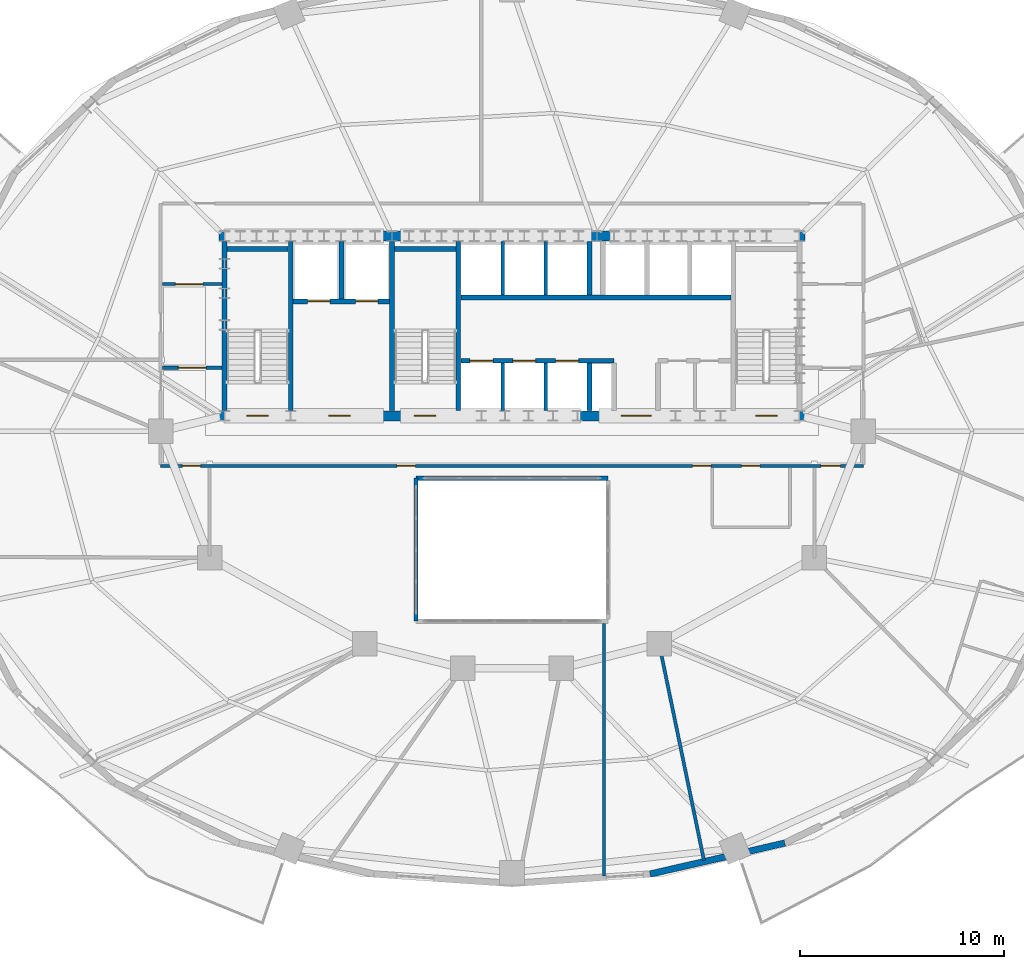
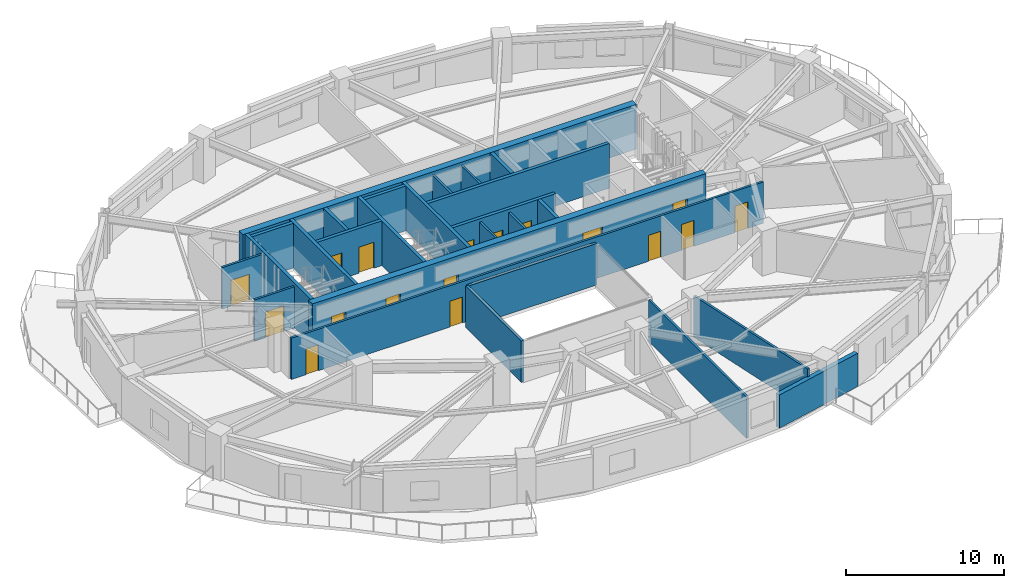
# One storey, part 7 of 12: 26 walls, 17 doors, 17 openings.
"""IFC4 building model written with IfcOpenShell, lengths in metres."""

import ifcopenshell
import ifcopenshell.guid

model = None  # the IFC model being written
_history = None  # IfcOwnerHistory: only IFC2X3 demands one
_inside = {}  # id of a spatial element -> (the spatial element, [elements in it])
_under = {}  # id of a project, library or spatial element -> (it, [spatial elements below it])
_declared = {}  # id of a project -> (the project, [libraries it declares])
_typed = {}  # id of a type object -> (the type object, [elements of that type])
_made_of = {}  # id of a material, layer set ... -> (it, [elements and type objects made of it])


def new_model(schema):
    """Start an empty IFC model of exactly this schema.

    Asked for "IFC4X3", IfcOpenShell would pick the latest addendum, in which some entities
    have other attributes; the version numbers below select the first issue.
    IFC2X3 requires an IfcOwnerHistory on every rooted entity: one is made here for all.
    """
    global model, _history
    if schema == "IFC4X3":
        model = ifcopenshell.file(schema_version=(4, 3, 0, 0))
    else:
        model = ifcopenshell.file(schema=schema)
    _inside.clear()
    _under.clear()
    _declared.clear()
    _typed.clear()
    _made_of.clear()
    _history = None
    if model.schema == "IFC2X3":
        org = make("IfcOrganization", Name="unknown")
        user = make(
            "IfcPersonAndOrganization",
            ThePerson=make("IfcPerson", FamilyName="unknown"),
            TheOrganization=org,
        )
        app = make(
            "IfcApplication",
            ApplicationDeveloper=org,
            Version="unknown",
            ApplicationFullName="unknown",
            ApplicationIdentifier="unknown",
        )
        _history = make(
            "IfcOwnerHistory",
            OwningUser=user,
            OwningApplication=app,
            ChangeAction="ADDED",
            CreationDate=0,
        )
    return model


def make(cls, **values):
    """One entity of the class cls with the attributes given. An attribute that is None is left unset."""
    return model.create_entity(
        cls, **{name: value for name, value in values.items() if value is not None}
    )


def rooted(cls, **values):
    """An entity with a GlobalId (a new one), such as an element, a storey or a relation."""
    return make(cls, GlobalId=ifcopenshell.guid.new(), OwnerHistory=_history, **values)


def si_unit(unit_type, name, prefix=None):
    """IfcSIUnit, for example si_unit("LENGTHUNIT", "METRE", prefix="MILLI")."""
    return make("IfcSIUnit", UnitType=unit_type, Prefix=prefix, Name=name)


def assignment(units):
    """IfcUnitAssignment: the units of a project."""
    return None if units is None else make("IfcUnitAssignment", Units=units)


def point(xyz):
    """IfcCartesianPoint."""
    return None if xyz is None else make("IfcCartesianPoint", Coordinates=xyz)


def direction(xyz):
    """IfcDirection."""
    return None if xyz is None else make("IfcDirection", DirectionRatios=xyz)


def frame(location, z_axis=None, x_axis=None):
    """IfcAxis2Placement3D, a coordinate frame: its origin and axes. An axis left out is left unset."""
    return make(
        "IfcAxis2Placement3D",
        Location=point(location),
        Axis=direction(z_axis),
        RefDirection=direction(x_axis),
    )


def frame_2d(location, x_axis=None):
    """IfcAxis2Placement2D, a coordinate frame in the plane: its origin and x axis."""
    return make(
        "IfcAxis2Placement2D", Location=point(location), RefDirection=direction(x_axis)
    )


def origin():
    """The frame at (0, 0, 0) with its axes left unset."""
    return frame((0.0, 0.0, 0.0))


def place(relative_to, where):
    """IfcLocalPlacement: puts the frame where relative to a parent placement (None: the world)."""
    return make(
        "IfcLocalPlacement", PlacementRelTo=relative_to, RelativePlacement=where
    )


def context(
    kind, dimensions, precision=None, world=None, true_north=None, identifier=None
):
    """IfcGeometricRepresentationContext, for example the 3D "Model" context."""
    return make(
        "IfcGeometricRepresentationContext",
        ContextIdentifier=identifier,
        ContextType=kind,
        CoordinateSpaceDimension=dimensions,
        Precision=precision,
        WorldCoordinateSystem=world,
        TrueNorth=true_north,
    )


def subcontext(parent, identifier, kind, view, scale=None):
    """IfcGeometricRepresentationSubContext, for example "Body" below "Model"."""
    return make(
        "IfcGeometricRepresentationSubContext",
        ContextIdentifier=identifier,
        ContextType=kind,
        ParentContext=parent,
        TargetScale=scale,
        TargetView=view,
    )


def project(units=None, contexts=None):
    """IfcProject with its units and contexts."""
    return rooted(
        "IfcProject",
        Name="project",
        RepresentationContexts=contexts,
        UnitsInContext=assignment(units),
    )


def spatial(cls, under=None, at=None, **own):
    """A site, building, storey or space (cls), placed at a placement, below another one or the project."""
    s = rooted(cls, ObjectPlacement=at, **own)
    if under is not None:
        _under.setdefault(under.id(), (under, []))[1].append(s)
    return s


def profile(cls, at=None, kind="AREA", **sizes):
    """A parametric profile (cls). Its sizes go by their IFC names, for example OverallWidth=200.0."""
    return make(cls, ProfileType=kind, Position=at, **sizes)


def rectangle(**sizes):
    """IfcRectangleProfileDef."""
    return profile("IfcRectangleProfileDef", **sizes)


def extrude(swept, where, along, depth):
    """IfcExtrudedAreaSolid: the profile swept, set in the frame where, extruded along a direction by depth."""
    return make(
        "IfcExtrudedAreaSolid",
        SweptArea=swept,
        Position=where,
        ExtrudedDirection=direction(along),
        Depth=depth,
    )


def shape(context_of_items, identifier, shape_type, items):
    """IfcShapeRepresentation: the items that make up one representation, for example the "Body"."""
    return make(
        "IfcShapeRepresentation",
        ContextOfItems=context_of_items,
        RepresentationIdentifier=identifier,
        RepresentationType=shape_type,
        Items=items,
    )


def material(Name=None, Category=None):
    """IfcMaterial."""
    return make("IfcMaterial", Name=Name, Category=Category)


def layer(
    of_material, thickness, ventilated=None, Name=None, Category=None, Priority=None
):
    """IfcMaterialLayer: one layer of a wall or slab, of a material (None: an air gap)."""
    return make(
        "IfcMaterialLayer",
        Material=of_material,
        LayerThickness=thickness,
        IsVentilated=ventilated,
        Name=Name,
        Category=Category,
        Priority=Priority,
    )


def layer_set(layers, Name=None):
    """IfcMaterialLayerSet."""
    return make("IfcMaterialLayerSet", MaterialLayers=layers, LayerSetName=Name)


def made_of(thing, what):
    """Note that an element or type object is made of a material, layer set ...; save() writes the relation."""
    if what is not None:
        _made_of.setdefault(what.id(), (what, []))[1].append(thing)
    return thing


def type_object(cls, material=None, **own):
    """A type object (cls), such as IfcWallType, which elements share."""
    return made_of(rooted(cls, **own), material)


def element(
    cls,
    number,
    at=None,
    inside=None,
    cuts=None,
    type_object=None,
    material=None,
    context=None,
    identifier="Body",
    shape_type=None,
    held_by="IfcProductDefinitionShape",
    body=None,
    shapes=None,
    **own,
):
    """One element of the class cls, such as IfcWall. Its Tag is "e" and its number.

    at: its placement. inside: the storey or other place that contains it. cuts: it is an
    opening in that element (IfcRelVoidsElement). A single representation is given by context,
    identifier, shape_type and body (its items); several are given by shapes. held_by: the class
    of the entity that holds the representations. save() writes the other relations.
    """
    e = rooted(cls, Tag="e%d" % number, ObjectPlacement=at, **own)
    if body is not None:
        shapes = [shape(context, identifier, shape_type, body)]
    if shapes is not None:
        e.Representation = make(held_by, Representations=shapes)
    if inside is not None:
        _inside.setdefault(inside.id(), (inside, []))[1].append(e)
    if cuts is not None:
        rooted(
            "IfcRelVoidsElement", RelatingBuildingElement=cuts, RelatedOpeningElement=e
        )
    if type_object is not None:
        _typed.setdefault(type_object.id(), (type_object, []))[1].append(e)
    return made_of(e, material)


def fill(opening, filler):
    """IfcRelFillsElement: the door or window that sits in an opening."""
    return rooted(
        "IfcRelFillsElement",
        RelatingOpeningElement=opening,
        RelatedBuildingElement=filler,
    )


def aggregate(whole, parts):
    """IfcRelAggregates: a whole, such as a stair, and the parts it consists of."""
    return rooted("IfcRelAggregates", RelatingObject=whole, RelatedObjects=parts)


def save(model, path):
    """Write the relations noted so far, then the file.

    IfcRelAggregates (storeys below a building ...), IfcRelContainedInSpatialStructure (elements
    in a storey), IfcRelDefinesByType, IfcRelAssociatesMaterial and IfcRelDeclares: one each for
    every whole, place, type object, material and project.
    """
    for whole, parts in _under.values():
        aggregate(whole, parts)
    for where, things in _inside.values():
        rooted(
            "IfcRelContainedInSpatialStructure",
            RelatedElements=things,
            RelatingStructure=where,
        )
    for kind, things in _typed.values():
        rooted("IfcRelDefinesByType", RelatedObjects=things, RelatingType=kind)
    for what, things in _made_of.values():
        rooted("IfcRelAssociatesMaterial", RelatedObjects=things, RelatingMaterial=what)
    for by, libraries in _declared.values():
        rooted("IfcRelDeclares", RelatingContext=by, RelatedDefinitions=libraries)
    model.write(path)


model = new_model("IFC4")

# Units and contexts
model_context = context("Model", 3, precision=1e-05, world=origin(), true_north=direction((0.0, 1.0)))
body_context = subcontext(model_context, "Body", "Model", "MODEL_VIEW")
ifc_project = project(units=[si_unit("LENGTHUNIT", "METRE"), si_unit("AREAUNIT", "SQUARE_METRE"), si_unit("VOLUMEUNIT", "CUBIC_METRE"), si_unit("PLANEANGLEUNIT", "RADIAN"), si_unit("MASSUNIT", "GRAM", prefix="KILO")], contexts=[model_context])

# Site, building, storey
site_placement = place(None, origin())
site = spatial("IfcSite", under=ifc_project, at=site_placement, CompositionType="ELEMENT")
building_placement = place(site_placement, origin())
building = spatial("IfcBuilding", under=site, at=building_placement, Name="Haldorwick Loom Tower", CompositionType="ELEMENT")
storey_placement = place(building_placement, frame((0.0, 0.0, 110.449951171875)))
storey = spatial("IfcBuildingStorey", under=building, at=storey_placement, Name="L29", CompositionType="ELEMENT", Elevation=110.449951171875)

# Wall
ifc_material_1 = material(Name="Pressed Clay Face Brick and Insulated Masonry Backup Assembly", Category="masonry")
ifc_layer_1 = layer(ifc_material_1, 0.320068359375, Name="Pressed Clay Face Brick and Insulated Masonry Backup Assembly", Category="masonry")
ifc_layer_set_1 = layer_set([ifc_layer_1], Name="Pressed Clay Face Brick and Insulated Masonry Backup Assembly")
wall_type_1 = type_object("IfcWallType", Name="ARC-WL-EXT320", PredefinedType="STANDARD", material=ifc_layer_set_1)
wall_1_placement = place(storey_placement, frame((42.757080078125, 4.325439453125, 0.0), z_axis=(0.0, 0.0, 1.0), x_axis=(0.974584177714, 0.224021607329, 0.0)))
element("IfcWall", 1, at=wall_1_placement, inside=storey, type_object=wall_type_1, Name="L29 Brick Pier and Spandrel Wall 20", PredefinedType="STANDARD", context=body_context, shape_type="SweptSolid", body=[
    extrude(rectangle(XDim=6.767822265625, YDim=0.320068359375, at=frame_2d((3.3837890625, 0.0))), origin(), (0.0, 0.0, 1.0), 2.569091796875),
])

# Wall, openings, doors
ifc_material_2 = material(Name="Fire-Rated Type X Gypsum Stud Assembly EI 60")
ifc_layer_2 = layer(ifc_material_2, 0.159912109375, Name="Fire-Rated Type X Gypsum Stud Assembly EI 60")
ifc_layer_set_2 = layer_set([ifc_layer_2], Name="Fire-Rated Type X Gypsum Stud Assembly EI 60")
wall_type_2 = type_object("IfcWallType", Name="ARC-WL-FIRE160", PredefinedType="PARTITIONING", material=ifc_layer_set_2)
wall_2_placement = place(storey_placement, frame((18.800048828125, 24.300048828125, 0.0), z_axis=(0.0, 0.0, 1.0), x_axis=(1.0, 0.0, 0.0)))
wall_2 = element("IfcWall", 2, at=wall_2_placement, inside=storey, type_object=wall_type_2, Name="L29 Residential Fire Partition L29-CR-SP", PredefinedType="PARTITIONING", context=body_context, shape_type="SweptSolid", body=[
    extrude(rectangle(XDim=34.39990234375, YDim=0.159912109375, at=frame_2d((17.199951171875, 0.0))), origin(), (0.0, 0.0, 1.0), 3.195068359375),
])
opening_1_placement = place(wall_2_placement, frame((11.56787109375, 0.0, 0.0)))
opening_1 = element("IfcOpeningElement", 3, at=opening_1_placement, cuts=wall_2, Name="Opening D-FD60A", PredefinedType="OPENING", context=body_context, shape_type="SweptSolid", body=[
    extrude(rectangle(XDim=0.89990234375, YDim=2.0, at=frame_2d((0.449951171875, 1.0))), frame((0.0, 0.08984375, 0.0), z_axis=(0.0, -1.0, 0.0), x_axis=(1.0, 0.0, 0.0)), (0.0, 0.0, 1.0), 0.179931640625),
])
opening_2_placement = place(wall_2_placement, frame((26.04150390625, 0.0, 0.0)))
opening_2 = element("IfcOpeningElement", 4, at=opening_2_placement, cuts=wall_2, Name="Opening D-FD60A", PredefinedType="OPENING", context=body_context, shape_type="SweptSolid", body=[
    extrude(rectangle(XDim=0.89990234375, YDim=2.0, at=frame_2d((0.449951171875, 1.0))), frame((0.0, 0.08984375, 0.0), z_axis=(0.0, -1.0, 0.0), x_axis=(1.0, 0.0, 0.0)), (0.0, 0.0, 1.0), 0.179931640625),
])
opening_3_placement = place(wall_2_placement, frame((28.437255859375, 0.0, 0.0)))
opening_3 = element("IfcOpeningElement", 5, at=opening_3_placement, cuts=wall_2, Name="Opening D-FD60A", PredefinedType="OPENING", context=body_context, shape_type="SweptSolid", body=[
    extrude(rectangle(XDim=0.89990234375, YDim=2.0, at=frame_2d((0.449951171875, 1.0))), frame((0.0, 0.08984375, 0.0), z_axis=(0.0, -1.0, 0.0), x_axis=(1.0, 0.0, 0.0)), (0.0, 0.0, 1.0), 0.179931640625),
])
opening_4_placement = place(wall_2_placement, frame((1.063232421875, 0.0, 0.0)))
opening_4 = element("IfcOpeningElement", 6, at=opening_4_placement, cuts=wall_2, Name="Opening D-FD60A", PredefinedType="OPENING", context=body_context, shape_type="SweptSolid", body=[
    extrude(rectangle(XDim=0.89990234375, YDim=2.0, at=frame_2d((0.449951171875, 1.0))), frame((0.0, 0.08984375, 0.0), z_axis=(0.0, -1.0, 0.0), x_axis=(1.0, 0.0, 0.0)), (0.0, 0.0, 1.0), 0.179931640625),
])
opening_5_placement = place(wall_2_placement, frame((32.319091796875, 0.0, 0.0)))
opening_5 = element("IfcOpeningElement", 7, at=opening_5_placement, cuts=wall_2, Name="Opening D-FL95", PredefinedType="OPENING", context=body_context, shape_type="SweptSolid", body=[
    extrude(rectangle(XDim=0.949951171875, YDim=2.0400390625, at=frame_2d((0.47509765625, 1.02001953125))), frame((0.0, 0.08984375, 0.0), z_axis=(0.0, -1.0, 0.0), x_axis=(1.0, 0.0, 0.0)), (0.0, 0.0, 1.0), 0.179931640625),
])
ifc_material_3 = material(Name="Hollow Steel Fire Door Assembly", Category="steel")
door_type_1 = type_object("IfcDoorType", Name="ARC-DR-FD60-90", OperationType="NOTDEFINED", PredefinedType="DOOR", material=ifc_material_3)
door_1_placement = place(opening_1_placement, origin())
door_1 = element("IfcDoor", 8, at=door_1_placement, inside=storey, type_object=door_type_1, Name="L29 L29 Central Residential Corridor to Tenant Seminar Meeting Room 1 Do", OperationType="SINGLE_SWING_LEFT", OverallHeight=2.0, OverallWidth=0.89990234375, PredefinedType="DOOR", context=body_context, shape_type="SweptSolid", body=[
    extrude(rectangle(XDim=0.89990234375, YDim=2.0, at=frame_2d((0.449951171875, 1.0))), frame((0.0, 0.02490234375, 0.0), z_axis=(0.0, -1.0, 0.0), x_axis=(1.0, 0.0, 0.0)), (0.0, 0.0, 1.0), 0.050048828125),
])
fill(opening_1, door_1)
door_2_placement = place(opening_2_placement, origin())
door_2 = element("IfcDoor", 9, at=door_2_placement, inside=storey, type_object=door_type_1, Name="L29 L29 Central Residential Corridor to Tenant Seminar Meeting Room 2 Do", OperationType="SINGLE_SWING_RIGHT", OverallHeight=2.0, OverallWidth=0.89990234375, PredefinedType="DOOR", context=body_context, shape_type="SweptSolid", body=[
    extrude(rectangle(XDim=0.89990234375, YDim=2.0, at=frame_2d((0.449951171875, 1.0))), frame((0.0, 0.02490234375, 0.0), z_axis=(0.0, -1.0, 0.0), x_axis=(1.0, 0.0, 0.0)), (0.0, 0.0, 1.0), 0.050048828125),
])
fill(opening_2, door_2)
door_3_placement = place(opening_3_placement, origin())
door_3 = element("IfcDoor", 10, at=door_3_placement, inside=storey, type_object=door_type_1, Name="L29 L29 Central Residential Corridor to Common Accessible WC Door", OperationType="SINGLE_SWING_LEFT", OverallHeight=2.0, OverallWidth=0.89990234375, PredefinedType="DOOR", context=body_context, shape_type="SweptSolid", body=[
    extrude(rectangle(XDim=0.89990234375, YDim=2.0, at=frame_2d((0.449951171875, 1.0))), frame((0.0, 0.02490234375, 0.0), z_axis=(0.0, -1.0, 0.0), x_axis=(1.0, 0.0, 0.0)), (0.0, 0.0, 1.0), 0.050048828125),
])
fill(opening_3, door_3)
door_4_placement = place(opening_4_placement, origin())
door_4 = element("IfcDoor", 11, at=door_4_placement, inside=storey, type_object=door_type_1, Name="L29 L29 Central Residential Corridor to Tenant Seminar Meeting Room 2 Do", OperationType="SINGLE_SWING_LEFT", OverallHeight=2.0, OverallWidth=0.89990234375, PredefinedType="DOOR", context=body_context, shape_type="SweptSolid", body=[
    extrude(rectangle(XDim=0.89990234375, YDim=2.0, at=frame_2d((0.449951171875, 1.0))), frame((0.0, 0.02490234375, 0.0), z_axis=(0.0, -1.0, 0.0), x_axis=(1.0, 0.0, 0.0)), (0.0, 0.0, 1.0), 0.050048828125),
])
fill(opening_4, door_4)
ifc_material_4 = material(Name="Solid Core Birch Architectural Door")
door_type_2 = type_object("IfcDoorType", Name="ARC-DR-FLAT95", OperationType="NOTDEFINED", PredefinedType="DOOR", material=ifc_material_4)
door_5_placement = place(opening_5_placement, origin())
door_5 = element("IfcDoor", 12, at=door_5_placement, inside=storey, type_object=door_type_2, Name="L29 L29 Central Residential Corridor to Unit 29A Kitchen and Penthouse L", OperationType="SINGLE_SWING_RIGHT", OverallHeight=2.0400390625, OverallWidth=0.949951171875, PredefinedType="DOOR", context=body_context, shape_type="SweptSolid", body=[
    extrude(rectangle(XDim=0.949951171875, YDim=2.0400390625, at=frame_2d((0.47509765625, 1.02001953125))), frame((0.0, 0.02490234375, 0.0), z_axis=(0.0, -1.0, 0.0), x_axis=(1.0, 0.0, 0.0)), (0.0, 0.0, 1.0), 0.050048828125),
])
fill(opening_5, door_5)

# Wall, opening, door
wall_3_placement = place(storey_placement, frame((18.883056640625, 29.10009765625, 0.0), z_axis=(0.0, 0.0, 1.0), x_axis=(1.0, 0.0, 0.0)))
wall_3 = element("IfcWall", 13, at=wall_3_placement, inside=storey, type_object=wall_type_2, Name="L29 Residential Fire Partition L29-CR-WSJ", PredefinedType="PARTITIONING", context=body_context, shape_type="SweptSolid", body=[
    extrude(rectangle(XDim=2.923828125, YDim=0.159912109375, at=frame_2d((1.4619140625, 0.0))), origin(), (0.0, 0.0, 1.0), 3.195068359375),
])
opening_6_placement = place(wall_3_placement, frame((0.787109375, 0.0, 0.0)))
opening_6 = element("IfcOpeningElement", 14, at=opening_6_placement, cuts=wall_3, Name="Opening D-CR15", PredefinedType="OPENING", context=body_context, shape_type="SweptSolid", body=[
    extrude(rectangle(XDim=1.35009765625, YDim=2.0, at=frame_2d((0.675048828125, 1.0))), frame((0.0, 0.08984375, 0.0), z_axis=(0.0, -1.0, 0.0), x_axis=(1.0, 0.0, 0.0)), (0.0, 0.0, 1.0), 0.179931640625),
])
ifc_material_5 = material(Name="Thermally Broken Anodized Aluminium and Tempered Glass", Category="aluminium")
door_type_3 = type_object("IfcDoorType", Name="ARC-DR-COR150", OperationType="NOTDEFINED", PredefinedType="DOOR", material=ifc_material_5)
door_6_placement = place(opening_6_placement, origin())
door_6 = element("IfcDoor", 15, at=door_6_placement, inside=storey, type_object=door_type_3, Name="L29 L29 West Residential Corridor to L29 Central Residential Corridor Do", OperationType="DOUBLE_DOOR_SINGLE_SWING", OverallHeight=2.0, OverallWidth=1.35009765625, PredefinedType="DOOR", context=body_context, shape_type="SweptSolid", body=[
    extrude(rectangle(XDim=1.35009765625, YDim=2.0, at=frame_2d((0.675048828125, 1.0))), frame((0.0, 0.02490234375, 0.0), z_axis=(0.0, -1.0, 0.0), x_axis=(1.0, 0.0, 0.0)), (0.0, 0.0, 1.0), 0.050048828125),
])
fill(opening_6, door_6)

wall_4_placement = place(storey_placement, frame((18.883056640625, 33.199951171875, 0.0), z_axis=(0.0, 0.0, 1.0), x_axis=(1.0, 0.0, 0.0)))
wall_4 = element("IfcWall", 16, at=wall_4_placement, inside=storey, type_object=wall_type_2, Name="L29 Residential Fire Partition L29-CR-WNJ", PredefinedType="PARTITIONING", context=body_context, shape_type="SweptSolid", body=[
    extrude(rectangle(XDim=2.923828125, YDim=0.159912109375, at=frame_2d((1.4619140625, 0.0))), origin(), (0.0, 0.0, 1.0), 3.195068359375),
])
opening_7_placement = place(wall_4_placement, frame((0.637939453125, 0.0, 0.0)))
opening_7 = element("IfcOpeningElement", 17, at=opening_7_placement, cuts=wall_4, Name="Opening D-CR15", PredefinedType="OPENING", context=body_context, shape_type="SweptSolid", body=[
    extrude(rectangle(XDim=1.35009765625, YDim=2.0, at=frame_2d((0.675048828125, 1.0))), frame((0.0, 0.08984375, 0.0), z_axis=(0.0, -1.0, 0.0), x_axis=(1.0, 0.0, 0.0)), (0.0, 0.0, 1.0), 0.179931640625),
])
door_7_placement = place(opening_7_placement, origin())
door_7 = element("IfcDoor", 18, at=door_7_placement, inside=storey, type_object=door_type_3, Name="L29 L29 North Residential Corridor to L29 West Residential Corridor Door", OperationType="DOUBLE_DOOR_SINGLE_SWING", OverallHeight=2.0, OverallWidth=1.35009765625, PredefinedType="DOOR", context=body_context, shape_type="SweptSolid", body=[
    extrude(rectangle(XDim=1.35009765625, YDim=2.0, at=frame_2d((0.675048828125, 1.0))), frame((0.0, 0.02490234375, 0.0), z_axis=(0.0, -1.0, 0.0), x_axis=(1.0, 0.0, 0.0)), (0.0, 0.0, 1.0), 0.050048828125),
])
fill(opening_7, door_7)

# Walls
wall_5_placement = place(storey_placement, frame((43.199951171875, 15.60009765625, 0.0), z_axis=(0.0, 0.0, 1.0), x_axis=(0.202703286055, -0.979240204354, 0.0)))
element("IfcWall", 19, at=wall_5_placement, inside=storey, type_object=wall_type_2, Name="L29 Residential Fire Partition L29-ICR-05", PredefinedType="PARTITIONING", context=body_context, shape_type="SweptSolid", body=[
    extrude(rectangle(XDim=10.82666015625, YDim=0.159912109375, at=frame_2d((5.413330078125, 0.0))), origin(), (0.0, 0.0, 1.0), 3.195068359375),
])
wall_6_placement = place(storey_placement, frame((40.5, 4.235595703125, 0.0), z_axis=(0.0, 0.0, 1.0), x_axis=(0.0, 1.0, 0.0)))
element("IfcWall", 20, at=wall_6_placement, inside=storey, type_object=wall_type_2, Name="L29 Residential Fire Partition L29-SBP-1", PredefinedType="PARTITIONING", context=body_context, shape_type="SweptSolid", body=[
    extrude(rectangle(XDim=12.361328125, YDim=0.159912109375, at=frame_2d((6.1806640625, 0.0))), origin(), (0.0, 0.0, 1.0), 3.195068359375),
])
ifc_material_6 = material(Name="Fire-Rated Type X Gypsum Stud Assembly EI 120")
ifc_layer_3 = layer(ifc_material_6, 0.199951171875, Name="Fire-Rated Type X Gypsum Stud Assembly EI 120")
ifc_layer_set_3 = layer_set([ifc_layer_3], Name="Fire-Rated Type X Gypsum Stud Assembly EI 120")
wall_type_3 = type_object("IfcWallType", Name="ARC-WL-FIRE200", PredefinedType="PARTITIONING", material=ifc_layer_set_3)
wall_7_placement = place(storey_placement, frame((31.300048828125, 23.699951171875, 0.0), z_axis=(0.0, 0.0, 1.0), x_axis=(1.0, 0.0, 0.0)))
element("IfcWall", 21, at=wall_7_placement, inside=storey, type_object=wall_type_3, Name="L29 Atrium Fire Enclosure Wall N", PredefinedType="PARTITIONING", context=body_context, shape_type="SweptSolid", body=[
    extrude(rectangle(XDim=9.39990234375, YDim=0.199951171875, at=frame_2d((4.699951171875, 0.0))), origin(), (0.0, 0.0, 1.0), 3.195068359375),
])
wall_8_placement = place(storey_placement, frame((31.300048828125, 16.699951171875, 0.0), z_axis=(0.0, 0.0, 1.0), x_axis=(0.0, 1.0, 0.0)))
element("IfcWall", 22, at=wall_8_placement, inside=storey, type_object=wall_type_3, Name="L29 Atrium Fire Enclosure Wall W", PredefinedType="PARTITIONING", context=body_context, shape_type="SweptSolid", body=[
    extrude(rectangle(XDim=7.0, YDim=0.199951171875, at=frame_2d((3.5, 0.0))), origin(), (0.0, 0.0, 1.0), 3.195068359375),
])
ifc_layer_4 = layer(ifc_material_6, 0.1650390625, Name="Fire-Rated Type X Gypsum Stud Assembly EI 120")
ifc_layer_set_4 = layer_set([ifc_layer_4], Name="Fire-Rated Type X Gypsum Stud Assembly EI 120")
wall_type_4 = type_object("IfcWallType", Name="ARC-WL-SHAFT160", PredefinedType="MOVABLE", material=ifc_layer_set_4)
for number, where, z_axis, x_axis, name in (
    (23, (35.550048828125, 32.673095703125, 0.0), (0.0, 0.0, 1.0), (0.0, 1.0, 0.0), "L29 Low-Rise Hoistway Divider 1"),
    (24, (37.64990234375, 32.673095703125, 0.0), (0.0, 0.0, 1.0), (0.0, 1.0, 0.0), "L29 Low-Rise Hoistway Divider 2"),
):
    element("IfcWall", number, at=place(storey_placement, frame(where, z_axis=z_axis, x_axis=x_axis)), inside=storey, type_object=wall_type_4, Name=name, PredefinedType="MOVABLE", context=body_context, shape_type="SweptSolid", body=[
        extrude(rectangle(XDim=2.6240234375, YDim=0.159912109375, at=frame_2d((1.31201171875, 0.0))), origin(), (0.0, 0.0, 1.0), 3.195068359375),
    ])
for number, where, z_axis, x_axis, name in (
    (25, (35.550048828125, 27.0029296875, 0.0), (0.0, 0.0, 1.0), (0.0, 1.0, 0.0), "L29 Mid-Rise Hoistway Divider 1"),
    (26, (37.64990234375, 27.0029296875, 0.0), (0.0, 0.0, 1.0), (0.0, 1.0, 0.0), "L29 Mid-Rise Hoistway Divider 2"),
):
    element("IfcWall", number, at=place(storey_placement, frame(where, z_axis=z_axis, x_axis=x_axis)), inside=storey, type_object=wall_type_4, Name=name, PredefinedType="MOVABLE", context=body_context, shape_type="SweptSolid", body=[
        extrude(rectangle(XDim=2.323974609375, YDim=0.159912109375, at=frame_2d((1.162109375, 0.0))), origin(), (0.0, 0.0, 1.0), 3.195068359375),
    ])

# Wall, openings, doors
ifc_material_7 = material(Name="Concrete C60 (60 MPa)", Category="concrete")
ifc_layer_5 = layer(ifc_material_7, 0.5, Name="Concrete C60 (60 MPa)", Category="concrete")
ifc_layer_set_5 = layer_set([ifc_layer_5], Name="Concrete C60 (60 MPa)")
wall_type_5 = type_object("IfcWallType", Name="STR-WL-CORE500", PredefinedType="SHEAR", material=ifc_layer_set_5)
wall_9_placement = place(storey_placement, frame((21.64990234375, 26.75, 0.0), z_axis=(0.0, 0.0, 1.0), x_axis=(1.0, 0.0, 0.0)))
wall_9 = element("IfcWall", 27, at=wall_9_placement, inside=storey, type_object=wall_type_5, Name="L29 Core Shear Wall S", PredefinedType="SHEAR", context=body_context, shape_type="SweptSolid", body=[
    extrude(rectangle(XDim=28.7001953125, YDim=0.5, at=frame_2d((14.35009765625, 0.0))), origin(), (0.0, 0.0, 1.0), 3.449951171875),
])
opening_8_placement = place(wall_9_placement, frame((1.375, 0.0, 0.0)))
opening_8 = element("IfcOpeningElement", 28, at=opening_8_placement, cuts=wall_9, Name="Opening D-FD60", PredefinedType="OPENING", context=body_context, shape_type="SweptSolid", body=[
    extrude(rectangle(XDim=1.050048828125, YDim=2.0, at=frame_2d((0.52490234375, 1.0))), frame((0.0, 0.260009765625, 0.0), z_axis=(0.0, -1.0, 0.0), x_axis=(1.0, 0.0, 0.0)), (0.0, 0.0, 1.0), 0.52001953125),
])
opening_9_placement = place(wall_9_placement, frame((5.375, 0.0, 0.0)))
opening_9 = element("IfcOpeningElement", 29, at=opening_9_placement, cuts=wall_9, Name="Opening D-FD60", PredefinedType="OPENING", context=body_context, shape_type="SweptSolid", body=[
    extrude(rectangle(XDim=1.050048828125, YDim=2.0, at=frame_2d((0.52490234375, 1.0))), frame((0.0, 0.260009765625, 0.0), z_axis=(0.0, -1.0, 0.0), x_axis=(1.0, 0.0, 0.0)), (0.0, 0.0, 1.0), 0.52001953125),
])
opening_10_placement = place(wall_9_placement, frame((9.574951171875, 0.0, 0.0)))
opening_10 = element("IfcOpeningElement", 30, at=opening_10_placement, cuts=wall_9, Name="Opening D-FD60", PredefinedType="OPENING", context=body_context, shape_type="SweptSolid", body=[
    extrude(rectangle(XDim=1.050048828125, YDim=2.0, at=frame_2d((0.52490234375, 1.0))), frame((0.0, 0.260009765625, 0.0), z_axis=(0.0, -1.0, 0.0), x_axis=(1.0, 0.0, 0.0)), (0.0, 0.0, 1.0), 0.52001953125),
])
opening_11_placement = place(wall_9_placement, frame((19.705078125, 0.0, 0.0)))
opening_11 = element("IfcOpeningElement", 31, at=opening_11_placement, cuts=wall_9, Name="Opening D-LB15", PredefinedType="OPENING", context=body_context, shape_type="SweptSolid", body=[
    extrude(rectangle(XDim=1.449951171875, YDim=2.0, at=frame_2d((0.72509765625, 1.0))), frame((0.0, 0.260009765625, 0.0), z_axis=(0.0, -1.0, 0.0), x_axis=(1.0, 0.0, 0.0)), (0.0, 0.0, 1.0), 0.52001953125),
])
opening_12_placement = place(wall_9_placement, frame((26.27490234375, 0.0, 0.0)))
opening_12 = element("IfcOpeningElement", 32, at=opening_12_placement, cuts=wall_9, Name="Opening D-FD60", PredefinedType="OPENING", context=body_context, shape_type="SweptSolid", body=[
    extrude(rectangle(XDim=1.050048828125, YDim=2.0, at=frame_2d((0.52490234375, 1.0))), frame((0.0, 0.260009765625, 0.0), z_axis=(0.0, -1.0, 0.0), x_axis=(1.0, 0.0, 0.0)), (0.0, 0.0, 1.0), 0.52001953125),
])
door_type_4 = type_object("IfcDoorType", Name="ARC-DR-FD60", OperationType="NOTDEFINED", PredefinedType="DOOR", material=ifc_material_3)
door_8_placement = place(opening_8_placement, origin())
door_8 = element("IfcDoor", 33, at=door_8_placement, inside=storey, type_object=door_type_4, Name="L29 Exit Stair ST-01 Fire Door", OperationType="SINGLE_SWING_LEFT", OverallHeight=2.0, OverallWidth=1.050048828125, PredefinedType="DOOR", context=body_context, shape_type="SweptSolid", body=[
    extrude(rectangle(XDim=1.050048828125, YDim=2.0, at=frame_2d((0.52490234375, 1.0))), frame((0.0, 0.02490234375, 0.0), z_axis=(0.0, -1.0, 0.0), x_axis=(1.0, 0.0, 0.0)), (0.0, 0.0, 1.0), 0.050048828125),
])
fill(opening_8, door_8)
door_9_placement = place(opening_9_placement, origin())
door_9 = element("IfcDoor", 34, at=door_9_placement, inside=storey, type_object=door_type_4, Name="L29 Firefighting Lift Lobby Fire Door", OperationType="SINGLE_SWING_RIGHT", OverallHeight=2.0, OverallWidth=1.050048828125, PredefinedType="DOOR", context=body_context, shape_type="SweptSolid", body=[
    extrude(rectangle(XDim=1.050048828125, YDim=2.0, at=frame_2d((0.52490234375, 1.0))), frame((0.0, 0.02490234375, 0.0), z_axis=(0.0, -1.0, 0.0), x_axis=(1.0, 0.0, 0.0)), (0.0, 0.0, 1.0), 0.050048828125),
])
fill(opening_9, door_9)
door_10_placement = place(opening_10_placement, origin())
door_10 = element("IfcDoor", 35, at=door_10_placement, inside=storey, type_object=door_type_4, Name="L29 Exit Stair ST-03 Fire Door", OperationType="SINGLE_SWING_LEFT", OverallHeight=2.0, OverallWidth=1.050048828125, PredefinedType="DOOR", context=body_context, shape_type="SweptSolid", body=[
    extrude(rectangle(XDim=1.050048828125, YDim=2.0, at=frame_2d((0.52490234375, 1.0))), frame((0.0, 0.02490234375, 0.0), z_axis=(0.0, -1.0, 0.0), x_axis=(1.0, 0.0, 0.0)), (0.0, 0.0, 1.0), 0.050048828125),
])
fill(opening_10, door_10)
door_11_placement = place(opening_12_placement, origin())
door_11 = element("IfcDoor", 36, at=door_11_placement, inside=storey, type_object=door_type_4, Name="L29 Exit Stair ST-02 Fire Door", OperationType="SINGLE_SWING_LEFT", OverallHeight=2.0, OverallWidth=1.050048828125, PredefinedType="DOOR", context=body_context, shape_type="SweptSolid", body=[
    extrude(rectangle(XDim=1.050048828125, YDim=2.0, at=frame_2d((0.52490234375, 1.0))), frame((0.0, 0.02490234375, 0.0), z_axis=(0.0, -1.0, 0.0), x_axis=(1.0, 0.0, 0.0)), (0.0, 0.0, 1.0), 0.050048828125),
])
fill(opening_12, door_11)
door_type_5 = type_object("IfcDoorType", Name="ARC-DR-LOB150", OperationType="NOTDEFINED", PredefinedType="DOOR", material=ifc_material_5)
door_12_placement = place(opening_11_placement, frame((1.449951171875, 0.0, 0.0), z_axis=(0.0, 0.0, 1.0), x_axis=(-1.0, 0.0, 0.0)))
door_12 = element("IfcDoor", 37, at=door_12_placement, inside=storey, type_object=door_type_5, Name="L29 Passenger Lift Lobby Fire Door", OperationType="DOUBLE_DOOR_SINGLE_SWING", OverallHeight=2.0, OverallWidth=1.449951171875, PredefinedType="DOOR", context=body_context, shape_type="SweptSolid", body=[
    extrude(rectangle(XDim=1.449951171875, YDim=2.0, at=frame_2d((0.72509765625, 1.0))), frame((0.0, 0.02490234375, 0.0), z_axis=(0.0, -1.0, 0.0), x_axis=(1.0, 0.0, 0.0)), (0.0, 0.0, 1.0), 0.050048828125),
])
fill(opening_11, door_12)

# Walls
wall_10_placement = place(storey_placement, frame((50.35009765625, 35.550048828125, 0.0), z_axis=(0.0, 0.0, 1.0), x_axis=(-1.0, 0.0, 0.0)))
element("IfcWall", 38, at=wall_10_placement, inside=storey, type_object=wall_type_5, Name="L29 Core Shear Wall N", PredefinedType="SHEAR", context=body_context, shape_type="SweptSolid", body=[
    extrude(rectangle(XDim=28.7001953125, YDim=0.5, at=frame_2d((14.35009765625, 0.0))), origin(), (0.0, 0.0, 1.0), 3.449951171875),
])
ifc_material_8 = material(Name="Concrete C50 (50 MPa)", Category="concrete")
ifc_layer_6 = layer(ifc_material_8, 0.239990234375, Name="Concrete C50 (50 MPa)", Category="concrete")
ifc_layer_set_6 = layer_set([ifc_layer_6], Name="Concrete C50 (50 MPa)")
wall_type_6 = type_object("IfcWallType", Name="STR-WL-SHAFT240", PredefinedType="SHEAR", material=ifc_layer_set_6)
for number, where, z_axis, x_axis, name in (
    (39, (21.929931640625, 35.297119140625, 0.0), (0.0, 0.0, 1.0), (0.0, -1.0, 0.0), "L29 Core Shear Wall W"),
    (40, (25.169921875, 27.0029296875, 0.0), (0.0, 0.0, 1.0), (0.0, 1.0, 0.0), "L29 Core Shear Wall 1"),
):
    element("IfcWall", number, at=place(storey_placement, frame(where, z_axis=z_axis, x_axis=x_axis)), inside=storey, type_object=wall_type_6, Name=name, PredefinedType="SHEAR", context=body_context, shape_type="SweptSolid", body=[
        extrude(rectangle(XDim=8.294189453125, YDim=0.239990234375, at=frame_2d((4.14697265625, 0.0))), origin(), (0.0, 0.0, 1.0), 3.449951171875),
    ])
wall_11_placement = place(storey_placement, frame((22.052978515625, 34.919921875, 0.0), z_axis=(0.0, 0.0, 1.0), x_axis=(1.0, 0.0, 0.0)))
element("IfcWall", 41, at=wall_11_placement, inside=storey, type_object=wall_type_6, Name="L29 Core Shear Wall 1N", PredefinedType="SHEAR", context=body_context, shape_type="SweptSolid", body=[
    extrude(rectangle(XDim=2.994140625, YDim=0.239990234375, at=frame_2d((1.4970703125, 0.0))), origin(), (0.0, 0.0, 1.0), 3.449951171875),
])
for number, where, z_axis, x_axis, name in (
    (42, (30.1298828125, 27.0029296875, 0.0), (0.0, 0.0, 1.0), (0.0, 1.0, 0.0), "L29 Core Shear Wall 2"),
    (43, (33.3701171875, 27.0029296875, 0.0), (0.0, 0.0, 1.0), (0.0, 1.0, 0.0), "L29 Core Shear Wall 3"),
):
    element("IfcWall", number, at=place(storey_placement, frame(where, z_axis=z_axis, x_axis=x_axis)), inside=storey, type_object=wall_type_6, Name=name, PredefinedType="SHEAR", context=body_context, shape_type="SweptSolid", body=[
        extrude(rectangle(XDim=8.294189453125, YDim=0.239990234375, at=frame_2d((4.14697265625, 0.0))), origin(), (0.0, 0.0, 1.0), 3.449951171875),
    ])
wall_12_placement = place(storey_placement, frame((30.2529296875, 34.919921875, 0.0), z_axis=(0.0, 0.0, 1.0), x_axis=(1.0, 0.0, 0.0)))
element("IfcWall", 44, at=wall_12_placement, inside=storey, type_object=wall_type_6, Name="L29 Core Shear Wall 3N", PredefinedType="SHEAR", context=body_context, shape_type="SweptSolid", body=[
    extrude(rectangle(XDim=2.994140625, YDim=0.239990234375, at=frame_2d((1.4970703125, 0.0))), origin(), (0.0, 0.0, 1.0), 3.449951171875),
])

# Wall, openings, doors
wall_13_placement = place(storey_placement, frame((25.29296875, 32.35009765625, 0.0), z_axis=(0.0, 0.0, 1.0), x_axis=(1.0, 0.0, 0.0)))
wall_13 = element("IfcWall", 45, at=wall_13_placement, inside=storey, type_object=wall_type_6, Name="L29 Core Shear Wall FF", PredefinedType="SHEAR", context=body_context, shape_type="SweptSolid", body=[
    extrude(rectangle(XDim=4.714111328125, YDim=0.239990234375, at=frame_2d((2.35693359375, 0.0))), origin(), (0.0, 0.0, 1.0), 3.449951171875),
])
opening_13_placement = place(wall_13_placement, frame((0.70703125, 0.0, 0.0)))
opening_13 = element("IfcOpeningElement", 46, at=opening_13_placement, cuts=wall_13, Name="Opening LD-FF1", PredefinedType="OPENING", context=body_context, shape_type="SweptSolid", body=[
    extrude(rectangle(XDim=1.10009765625, YDim=2.0, at=frame_2d((0.550048828125, 1.0))), frame((0.0, 0.1298828125, 0.0), z_axis=(0.0, -1.0, 0.0), x_axis=(1.0, 0.0, 0.0)), (0.0, 0.0, 1.0), 0.260009765625),
])
opening_14_placement = place(wall_13_placement, frame((3.056884765625, 0.0, 0.0)))
opening_14 = element("IfcOpeningElement", 47, at=opening_14_placement, cuts=wall_13, Name="Opening LD-FF2", PredefinedType="OPENING", context=body_context, shape_type="SweptSolid", body=[
    extrude(rectangle(XDim=1.10009765625, YDim=2.0, at=frame_2d((0.550048828125, 1.0))), frame((0.0, 0.1298828125, 0.0), z_axis=(0.0, -1.0, 0.0), x_axis=(1.0, 0.0, 0.0)), (0.0, 0.0, 1.0), 0.260009765625),
])
door_type_6 = type_object("IfcDoorType", Name="ARC-DR-LD-FF", OperationType="NOTDEFINED", PredefinedType="USERDEFINED", material=ifc_material_3)
door_13_placement = place(opening_13_placement, origin())
door_13 = element("IfcDoor", 48, at=door_13_placement, inside=storey, type_object=door_type_6, Name="L29 Lift LF-FF1 Sliding Landing Door", ObjectType="LANDING DOOR", OperationType="DOUBLE_DOOR_SLIDING", OverallHeight=2.0, OverallWidth=1.10009765625, PredefinedType="USERDEFINED", context=body_context, shape_type="SweptSolid", body=[
    extrude(rectangle(XDim=1.10009765625, YDim=2.0, at=frame_2d((0.550048828125, 1.0))), frame((0.0, 0.02490234375, 0.0), z_axis=(0.0, -1.0, 0.0), x_axis=(1.0, 0.0, 0.0)), (0.0, 0.0, 1.0), 0.050048828125),
])
fill(opening_13, door_13)
door_14_placement = place(opening_14_placement, origin())
door_14 = element("IfcDoor", 49, at=door_14_placement, inside=storey, type_object=door_type_6, Name="L29 Lift LF-FF2 Sliding Landing Door", ObjectType="LANDING DOOR", OperationType="DOUBLE_DOOR_SLIDING", OverallHeight=2.0, OverallWidth=1.10009765625, PredefinedType="USERDEFINED", context=body_context, shape_type="SweptSolid", body=[
    extrude(rectangle(XDim=1.10009765625, YDim=2.0, at=frame_2d((0.550048828125, 1.0))), frame((0.0, 0.02490234375, 0.0), z_axis=(0.0, -1.0, 0.0), x_axis=(1.0, 0.0, 0.0)), (0.0, 0.0, 1.0), 0.050048828125),
])
fill(opening_14, door_14)

# Walls
wall_14_placement = place(storey_placement, frame((27.64990234375, 32.472900390625, 0.0), z_axis=(0.0, 0.0, 1.0), x_axis=(0.0, 1.0, 0.0)))
element("IfcWall", 50, at=wall_14_placement, inside=storey, type_object=wall_type_6, Name="L29 Core Shear Wall FFD", PredefinedType="SHEAR", context=body_context, shape_type="SweptSolid", body=[
    extrude(rectangle(XDim=2.82421875, YDim=0.239990234375, at=frame_2d((1.412109375, 0.0))), origin(), (0.0, 0.0, 1.0), 3.449951171875),
])
wall_15_placement = place(storey_placement, frame((33.492919921875, 32.550048828125, 0.0), z_axis=(0.0, 0.0, 1.0), x_axis=(1.0, 0.0, 0.0)))
element("IfcWall", 51, at=wall_15_placement, inside=storey, type_object=wall_type_6, Name="L29 Core Shear Wall LN", PredefinedType="SHEAR", context=body_context, shape_type="SweptSolid", body=[
    extrude(rectangle(XDim=13.214111328125, YDim=0.239990234375, at=frame_2d((6.60693359375, 0.0))), origin(), (0.0, 0.0, 1.0), 3.449951171875),
])

# Wall, openings, doors
wall_16_placement = place(storey_placement, frame((33.492919921875, 29.449951171875, 0.0), z_axis=(0.0, 0.0, 1.0), x_axis=(1.0, 0.0, 0.0)))
wall_16 = element("IfcWall", 52, at=wall_16_placement, inside=storey, type_object=wall_type_6, Name="L29 Core Shear Wall LS1", PredefinedType="SHEAR", context=body_context, shape_type="SweptSolid", body=[
    extrude(rectangle(XDim=7.507080078125, YDim=0.239990234375, at=frame_2d((3.75341796875, 0.0))), origin(), (0.0, 0.0, 1.0), 3.449951171875),
])
opening_15_placement = place(wall_16_placement, frame((0.447021484375, 0.0, 0.0)))
opening_15 = element("IfcOpeningElement", 53, at=opening_15_placement, cuts=wall_16, Name="Opening LD-M1", PredefinedType="OPENING", context=body_context, shape_type="SweptSolid", body=[
    extrude(rectangle(XDim=1.1201171875, YDim=2.0, at=frame_2d((0.56005859375, 1.0))), frame((0.0, 0.1298828125, 0.0), z_axis=(0.0, -1.0, 0.0), x_axis=(1.0, 0.0, 0.0)), (0.0, 0.0, 1.0), 0.260009765625),
])
opening_16_placement = place(wall_16_placement, frame((2.547119140625, 0.0, 0.0)))
opening_16 = element("IfcOpeningElement", 54, at=opening_16_placement, cuts=wall_16, Name="Opening LD-M2", PredefinedType="OPENING", context=body_context, shape_type="SweptSolid", body=[
    extrude(rectangle(XDim=1.1201171875, YDim=2.0, at=frame_2d((0.56005859375, 1.0))), frame((0.0, 0.1298828125, 0.0), z_axis=(0.0, -1.0, 0.0), x_axis=(1.0, 0.0, 0.0)), (0.0, 0.0, 1.0), 0.260009765625),
])
opening_17_placement = place(wall_16_placement, frame((4.64697265625, 0.0, 0.0)))
opening_17 = element("IfcOpeningElement", 55, at=opening_17_placement, cuts=wall_16, Name="Opening LD-M3", PredefinedType="OPENING", context=body_context, shape_type="SweptSolid", body=[
    extrude(rectangle(XDim=1.1201171875, YDim=2.0, at=frame_2d((0.56005859375, 1.0))), frame((0.0, 0.1298828125, 0.0), z_axis=(0.0, -1.0, 0.0), x_axis=(1.0, 0.0, 0.0)), (0.0, 0.0, 1.0), 0.260009765625),
])
door_type_7 = type_object("IfcDoorType", Name="ARC-DR-LD-PAX", OperationType="NOTDEFINED", PredefinedType="USERDEFINED", material=ifc_material_3)
door_15_placement = place(opening_15_placement, origin())
door_15 = element("IfcDoor", 56, at=door_15_placement, inside=storey, type_object=door_type_7, Name="L29 Lift LF-M1 Sliding Landing Door", ObjectType="LANDING DOOR", OperationType="DOUBLE_DOOR_SLIDING", OverallHeight=2.0, OverallWidth=1.1201171875, PredefinedType="USERDEFINED", context=body_context, shape_type="SweptSolid", body=[
    extrude(rectangle(XDim=1.1201171875, YDim=2.0, at=frame_2d((0.56005859375, 1.0))), frame((0.0, 0.02490234375, 0.0), z_axis=(0.0, -1.0, 0.0), x_axis=(1.0, 0.0, 0.0)), (0.0, 0.0, 1.0), 0.050048828125),
])
fill(opening_15, door_15)
door_16_placement = place(opening_16_placement, origin())
door_16 = element("IfcDoor", 57, at=door_16_placement, inside=storey, type_object=door_type_7, Name="L29 Lift LF-M2 Sliding Landing Door", ObjectType="LANDING DOOR", OperationType="DOUBLE_DOOR_SLIDING", OverallHeight=2.0, OverallWidth=1.1201171875, PredefinedType="USERDEFINED", context=body_context, shape_type="SweptSolid", body=[
    extrude(rectangle(XDim=1.1201171875, YDim=2.0, at=frame_2d((0.56005859375, 1.0))), frame((0.0, 0.02490234375, 0.0), z_axis=(0.0, -1.0, 0.0), x_axis=(1.0, 0.0, 0.0)), (0.0, 0.0, 1.0), 0.050048828125),
])
fill(opening_16, door_16)
door_17_placement = place(opening_17_placement, origin())
door_17 = element("IfcDoor", 58, at=door_17_placement, inside=storey, type_object=door_type_7, Name="L29 Lift LF-M3 Sliding Landing Door", ObjectType="LANDING DOOR", OperationType="DOUBLE_DOOR_SLIDING", OverallHeight=2.0, OverallWidth=1.1201171875, PredefinedType="USERDEFINED", context=body_context, shape_type="SweptSolid", body=[
    extrude(rectangle(XDim=1.1201171875, YDim=2.0, at=frame_2d((0.56005859375, 1.0))), frame((0.0, 0.02490234375, 0.0), z_axis=(0.0, -1.0, 0.0), x_axis=(1.0, 0.0, 0.0)), (0.0, 0.0, 1.0), 0.050048828125),
])
fill(opening_17, door_17)

# Walls
wall_17_placement = place(storey_placement, frame((39.800048828125, 32.673095703125, 0.0), z_axis=(0.0, 0.0, 1.0), x_axis=(0.0, 1.0, 0.0)))
element("IfcWall", 59, at=wall_17_placement, inside=storey, type_object=wall_type_6, Name="L29 Core Shear Wall LHW", PredefinedType="SHEAR", context=body_context, shape_type="SweptSolid", body=[
    extrude(rectangle(XDim=2.6240234375, YDim=0.239990234375, at=frame_2d((1.31201171875, 0.0))), origin(), (0.0, 0.0, 1.0), 3.449951171875),
])
wall_18_placement = place(storey_placement, frame((39.800048828125, 27.0029296875, 0.0), z_axis=(0.0, 0.0, 1.0), x_axis=(0.0, 1.0, 0.0)))
element("IfcWall", 60, at=wall_18_placement, inside=storey, type_object=wall_type_6, Name="L29 Core Shear Wall MRW", PredefinedType="SHEAR", context=body_context, shape_type="SweptSolid", body=[
    extrude(rectangle(XDim=2.323974609375, YDim=0.239990234375, at=frame_2d((1.162109375, 0.0))), origin(), (0.0, 0.0, 1.0), 3.449951171875),
])

save(model, "model.ifc")
